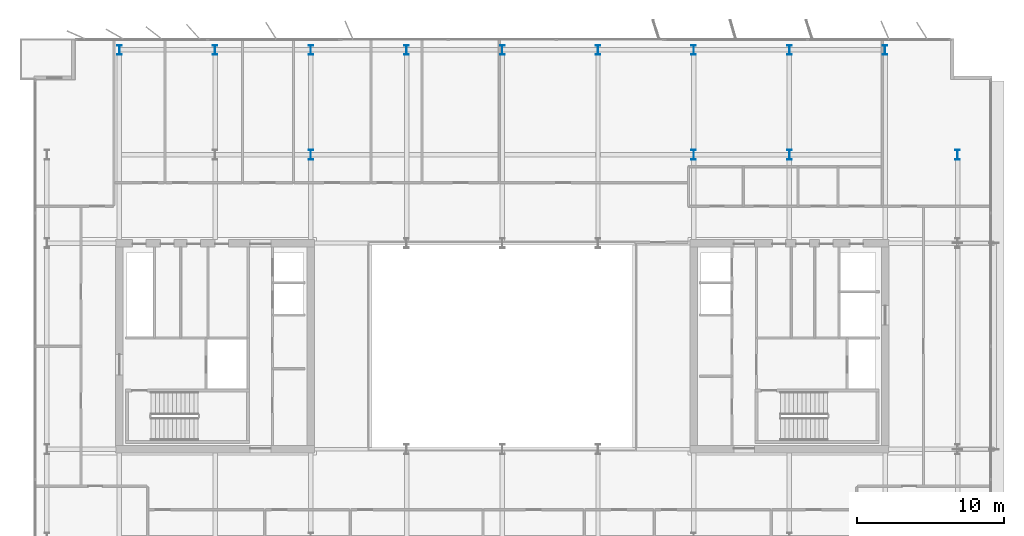
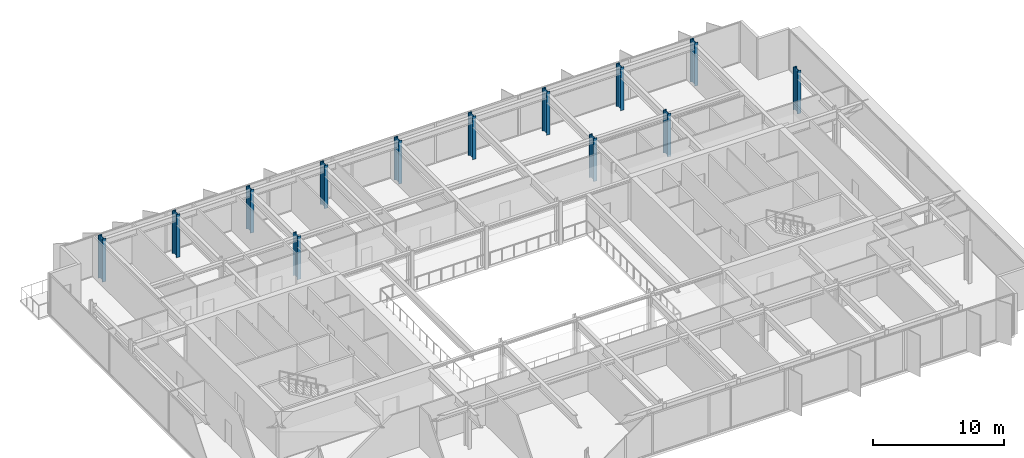
# One storey, part 3 of 21: 13 columns.
"""IFC4 building model written with IfcOpenShell, lengths in metres."""

from ifc_helpers import new_model, si_unit, direction, frame, origin, origin_2d, place, context, subcontext, project, spatial, i_section, extrude, material, material_profile, profile_set, type_object, element, save


model = new_model("IFC4")

# Units and contexts
model_context = context("Model", 3, precision=1e-05, world=origin(), true_north=direction((0.0, 1.0)))
body_context = subcontext(model_context, "Body", "Model", "MODEL_VIEW")
ifc_project = project(units=[si_unit("LENGTHUNIT", "METRE"), si_unit("AREAUNIT", "SQUARE_METRE"), si_unit("VOLUMEUNIT", "CUBIC_METRE"), si_unit("PLANEANGLEUNIT", "RADIAN"), si_unit("MASSUNIT", "GRAM", prefix="KILO")], contexts=[model_context])

# Site, building, storey
site_placement = place(None, origin())
site = spatial("IfcSite", under=ifc_project, at=site_placement, CompositionType="ELEMENT")
building_placement = place(site_placement, origin())
building = spatial("IfcBuilding", under=site, at=building_placement, Name="Putna Gate Headquarters", CompositionType="ELEMENT")
storey_placement = place(building_placement, frame((0.0, 0.0, 278.39990234375)))
storey = spatial("IfcBuildingStorey", under=building, at=storey_placement, Name="L70", CompositionType="ELEMENT", Elevation=278.39990234375)

# Columns
ifc_material = material(Name="Steel S460M", Category="steel")
ifc_material_profile_1 = material_profile(ifc_material, i_section(OverallWidth=0.304931640625, OverallDepth=0.66796875, WebThickness=0.02099609375, FlangeThickness=0.0400390625, at=origin_2d()), Name="Steel S460M")
ifc_profile_set_1 = profile_set([ifc_material_profile_1], Name="Steel S460M")
column_type_1 = type_object("IfcColumnType", Name="COL-STL-HEM650-EXT", PredefinedType="COLUMN", material=ifc_profile_set_1)
for number, where, z_axis, x_axis, name in (
    (1, (13.0, 46.1201171875, 0.0), (0.0, 0.0, 1.0), (1.0, 0.0, 0.0), "L70 Column CP-N13"),
    (2, (19.5, 46.1201171875, 0.0), (0.0, 0.0, 1.0), (1.0, 0.0, 0.0), "L70 Column CP-N19"),
    (3, (26.0, 46.1201171875, 0.0), (0.0, 0.0, 1.0), (1.0, 0.0, 0.0), "L70 Column CP-N26"),
    (4, (32.5, 46.1201171875, 0.0), (0.0, 0.0, 1.0), (1.0, 0.0, 0.0), "L70 Column CP-N32"),
    (5, (39.0, 46.1201171875, 0.0), (0.0, 0.0, 1.0), (1.0, 0.0, 0.0), "L70 Column CP-N39"),
    (6, (45.5, 46.1201171875, 0.0), (0.0, 0.0, 1.0), (1.0, 0.0, 0.0), "L70 Column CP-N45"),
    (7, (52.0, 46.1201171875, 0.0), (0.0, 0.0, 1.0), (1.0, 0.0, 0.0), "L70 Column CP-N52"),
    (8, (58.5, 46.1201171875, 0.0), (0.0, 0.0, 1.0), (1.0, 0.0, 0.0), "L70 Column CP-N58"),
    (9, (65.0, 46.1201171875, 0.0), (0.0, 0.0, 1.0), (1.0, 0.0, 0.0), "L70 Column CP-N65"),
    (10, (69.919921875, 39.0, 0.0), (0.0, 0.0, 1.0), (1.0, 0.0, 0.0), "L70 Column CP-E39"),
):
    element("IfcColumn", number, at=place(storey_placement, frame(where, z_axis=z_axis, x_axis=x_axis)), inside=storey, type_object=column_type_1, Name=name, PredefinedType="COLUMN", context=body_context, shape_type="SweptSolid", body=[
        extrude(i_section(OverallWidth=0.304931640625, OverallDepth=0.66796875, WebThickness=0.02099609375, FlangeThickness=0.0400390625, at=origin_2d()), origin(), (0.0, 0.0, 1.0), 4.0),
    ])
ifc_material_profile_2 = material_profile(ifc_material, i_section(OverallWidth=0.304931640625, OverallDepth=0.66796875, WebThickness=0.02099609375, FlangeThickness=0.0400390625, at=origin_2d()), Name="Steel S460M")
ifc_profile_set_2 = profile_set([ifc_material_profile_2], Name="Steel S460M")
column_type_2 = type_object("IfcColumnType", Name="COL-STL-HEM650-INT", PredefinedType="COLUMN", material=ifc_profile_set_2)
for number, where, z_axis, x_axis, name in (
    (11, (58.5, 39.0, 0.0), (0.0, 0.0, 1.0), (1.0, 0.0, 0.0), "L70 Column CSI-EN"),
    (12, (26.0, 39.0, 0.0), (0.0, 0.0, 1.0), (1.0, 0.0, 0.0), "L70 Column CAP-WN"),
    (13, (52.0, 39.0, 0.0), (0.0, 0.0, 1.0), (1.0, 0.0, 0.0), "L70 Column CAP-EN"),
):
    element("IfcColumn", number, at=place(storey_placement, frame(where, z_axis=z_axis, x_axis=x_axis)), inside=storey, type_object=column_type_2, Name=name, PredefinedType="COLUMN", context=body_context, shape_type="SweptSolid", body=[
        extrude(i_section(OverallWidth=0.304931640625, OverallDepth=0.66796875, WebThickness=0.02099609375, FlangeThickness=0.0400390625, at=origin_2d()), origin(), (0.0, 0.0, 1.0), 4.0),
    ])

save(model, "model.ifc")
